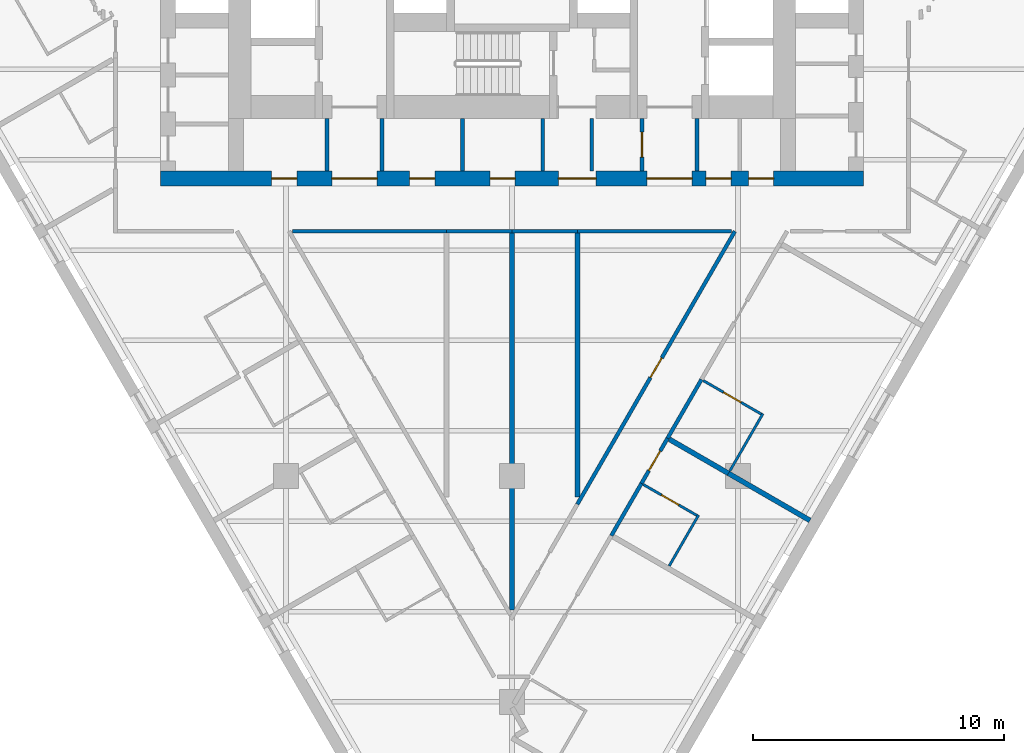
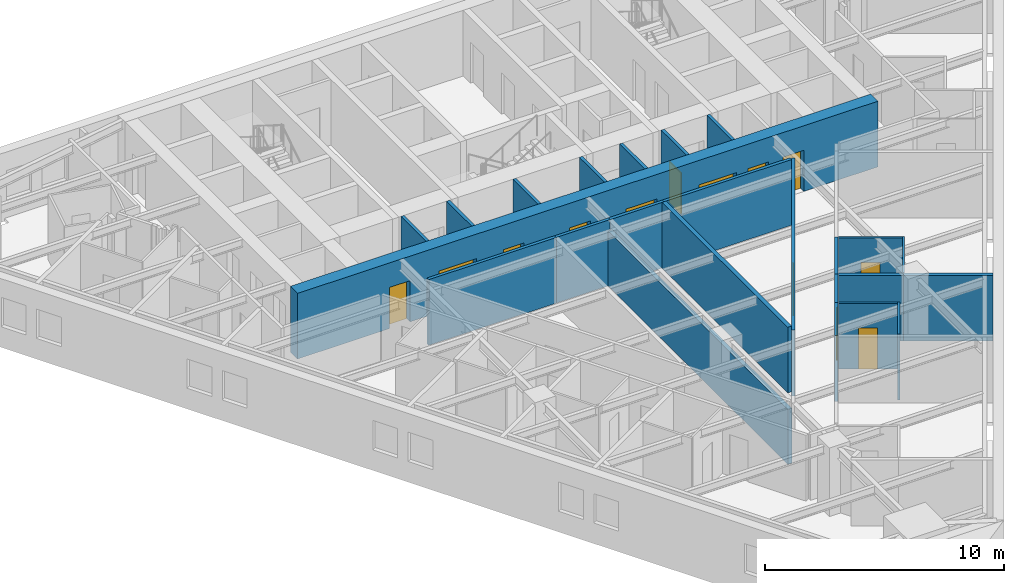
# One storey, part 4 of 10: 24 walls, 13 doors, 13 openings.
"""IFC4 building model written with IfcOpenShell, lengths in metres."""

from ifc_helpers import new_model, si_unit, direction, frame, frame_2d, origin, place, context, subcontext, project, spatial, rectangle, extrude, material, layer, layer_set, type_object, element, fill, save


model = new_model("IFC4")

# Units and contexts
model_context = context("Model", 3, precision=1e-05, world=origin(), true_north=direction((0.0, 1.0)))
body_context = subcontext(model_context, "Body", "Model", "MODEL_VIEW")
ifc_project = project(units=[si_unit("LENGTHUNIT", "METRE"), si_unit("AREAUNIT", "SQUARE_METRE"), si_unit("VOLUMEUNIT", "CUBIC_METRE"), si_unit("PLANEANGLEUNIT", "RADIAN"), si_unit("MASSUNIT", "GRAM", prefix="KILO")], contexts=[model_context])

# Site, building, storey
site_placement = place(None, origin())
site = spatial("IfcSite", under=ifc_project, at=site_placement, CompositionType="ELEMENT")
building_placement = place(site_placement, origin())
building = spatial("IfcBuilding", under=site, at=building_placement, Name="Aloe Facet Convention Tower", CompositionType="ELEMENT")
storey_placement = place(building_placement, frame((0.0, 0.0, 59.5)))
storey = spatial("IfcBuildingStorey", under=building, at=storey_placement, Name="L13", CompositionType="ELEMENT", Elevation=59.5)

# Walls
ifc_material_1 = material(Name="Concrete blockwork partition", Category="masonry")
ifc_layer_1 = layer(ifc_material_1, 0.14990234375)
ifc_layer_set_1 = layer_set([ifc_layer_1], Name="CR-W-PART150")
wall_type_1 = type_object("IfcWallType", Name="CR-W-PART150", PredefinedType="PARTITIONING", material=ifc_layer_set_1)
for number, where, z_axis, x_axis, name in (
    (1, (72.625, 122.25, 0.0), (0.0, 0.0, 1.0), (0.0, -1.0, 0.0), "Core partition L13-017"),
    (2, (74.824951171875, 122.25, 0.0), (0.0, 0.0, 1.0), (0.0, -1.0, 0.0), "Core partition L13-018"),
    (3, (78.02490234375, 122.25, 0.0), (0.0, 0.0, 1.0), (0.0, -1.0, 0.0), "Core partition L13-026"),
    (4, (81.22509765625, 122.25, 0.0), (0.0, 0.0, 1.0), (0.0, -1.0, 0.0), "Core partition L13-027"),
    (5, (83.175048828125, 122.25, 0.0), (0.0, 0.0, 1.0), (0.0, -1.0, 0.0), "Core partition L13-034"),
):
    element("IfcWall", number, at=place(storey_placement, frame(where, z_axis=z_axis, x_axis=x_axis)), inside=storey, type_object=wall_type_1, Name=name, PredefinedType="PARTITIONING", context=body_context, shape_type="SweptSolid", body=[
        extrude(rectangle(XDim=2.10009765625, YDim=0.14990234375, at=frame_2d((1.050048828125, 0.0))), origin(), (0.0, 0.0, 1.0), 3.35009765625),
    ])

# Wall, opening, door
wall_1_placement = place(storey_placement, frame((85.175048828125, 122.25, 0.0), z_axis=(0.0, 0.0, 1.0), x_axis=(0.0, -1.0, 0.0)))
wall_1 = element("IfcWall", 6, at=wall_1_placement, inside=storey, type_object=wall_type_1, Name="Core partition L13-040", PredefinedType="PARTITIONING", context=body_context, shape_type="SweptSolid", body=[
    extrude(rectangle(XDim=2.10009765625, YDim=0.14990234375, at=frame_2d((1.050048828125, 0.0))), origin(), (0.0, 0.0, 1.0), 3.35009765625),
])
opening_1_placement = place(wall_1_placement, frame((0.550048828125, 0.0, 0.0)))
opening_1 = element("IfcOpeningElement", 7, at=opening_1_placement, cuts=wall_1, Name="Opening L13-CD27", PredefinedType="OPENING", context=body_context, shape_type="SweptSolid", body=[
    extrude(rectangle(XDim=1.0, YDim=2.10009765625, at=frame_2d((0.5, 1.050048828125))), frame((0.0, 0.0849609375, 0.0), z_axis=(0.0, -1.0, 0.0), x_axis=(1.0, 0.0, 0.0)), (0.0, 0.0, 1.0), 0.169921875),
])
ifc_material_2 = material(Name="Steel fire-resisting door set FD60", Category="steel")
door_type_1 = type_object("IfcDoorType", Name="CR-D-ROOM-1000-FD60-SRIGHT", OperationType="SINGLE_SWING_RIGHT", PredefinedType="DOOR", material=ifc_material_2)
door_1_placement = place(opening_1_placement, origin())
door_1 = element("IfcDoor", 8, at=door_1_placement, inside=storey, type_object=door_type_1, Name="Core door L13-CD27", OperationType="SINGLE_SWING_RIGHT", OverallHeight=2.10009765625, OverallWidth=1.0, PredefinedType="DOOR", context=body_context, shape_type="SweptSolid", body=[
    extrude(rectangle(XDim=1.0, YDim=2.10009765625, at=frame_2d((0.5, 1.050048828125))), frame((0.0, 0.02490234375, 0.0), z_axis=(0.0, -1.0, 0.0), x_axis=(1.0, 0.0, 0.0)), (0.0, 0.0, 1.0), 0.050048828125),
])
fill(opening_1, door_1)

# Wall
wall_2_placement = place(storey_placement, frame((87.375, 122.25, 0.0), z_axis=(0.0, 0.0, 1.0), x_axis=(0.0, -1.0, 0.0)))
element("IfcWall", 9, at=wall_2_placement, inside=storey, type_object=wall_type_1, Name="Core partition L13-041", PredefinedType="PARTITIONING", context=body_context, shape_type="SweptSolid", body=[
    extrude(rectangle(XDim=2.10009765625, YDim=0.14990234375, at=frame_2d((1.050048828125, 0.0))), origin(), (0.0, 0.0, 1.0), 3.35009765625),
])

# Wall, openings, doors
ifc_material_3 = material(Name="Concrete C80/95", Category="concrete")
ifc_layer_2 = layer(ifc_material_3, 0.60009765625)
ifc_layer_set_2 = layer_set([ifc_layer_2], Name="CR-W-RC600-C8095")
wall_type_2 = type_object("IfcWallType", Name="CR-W-RC600-C8095", PredefinedType="SOLIDWALL", material=ifc_layer_set_2)
wall_3_placement = place(storey_placement, frame((66.0, 119.85009765625, 0.0), z_axis=(0.0, 0.0, 1.0), x_axis=(1.0, 0.0, 0.0)))
wall_3 = element("IfcWall", 10, at=wall_3_placement, inside=storey, type_object=wall_type_2, Name="Core wall L13-003", PredefinedType="SOLIDWALL", context=body_context, shape_type="SweptSolid", body=[
    extrude(rectangle(XDim=28.0, YDim=0.60009765625, at=frame_2d((14.0, 0.0))), origin(), (0.0, 0.0, 1.0), 3.35009765625),
])
opening_2_placement = place(wall_3_placement, frame((6.824951171875, 0.0, 0.0)))
opening_2 = element("IfcOpeningElement", 11, at=opening_2_placement, cuts=wall_3, Name="Opening L13-CD17", PredefinedType="OPENING", context=body_context, shape_type="SweptSolid", body=[
    extrude(rectangle(XDim=1.800048828125, YDim=2.10009765625, at=frame_2d((0.89990234375, 1.050048828125))), frame((0.0, 0.31005859375, 0.0), z_axis=(0.0, -1.0, 0.0), x_axis=(1.0, 0.0, 0.0)), (0.0, 0.0, 1.0), 0.6201171875),
])
opening_3_placement = place(wall_3_placement, frame((15.85009765625, 0.0, 0.0)))
opening_3 = element("IfcOpeningElement", 12, at=opening_3_placement, cuts=wall_3, Name="Opening L13-CD18", PredefinedType="OPENING", context=body_context, shape_type="SweptSolid", body=[
    extrude(rectangle(XDim=1.5, YDim=2.10009765625, at=frame_2d((0.75, 1.050048828125))), frame((0.0, 0.31005859375, 0.0), z_axis=(0.0, -1.0, 0.0), x_axis=(1.0, 0.0, 0.0)), (0.0, 0.0, 1.0), 0.6201171875),
])
opening_4_placement = place(wall_3_placement, frame((19.375, 0.0, 0.0)))
opening_4 = element("IfcOpeningElement", 13, at=opening_4_placement, cuts=wall_3, Name="Opening L13-CD19", PredefinedType="OPENING", context=body_context, shape_type="SweptSolid", body=[
    extrude(rectangle(XDim=1.800048828125, YDim=2.10009765625, at=frame_2d((0.89990234375, 1.050048828125))), frame((0.0, 0.31005859375, 0.0), z_axis=(0.0, -1.0, 0.0), x_axis=(1.0, 0.0, 0.0)), (0.0, 0.0, 1.0), 0.6201171875),
])
opening_5_placement = place(wall_3_placement, frame((4.425048828125, 0.0, 0.0)))
opening_5 = element("IfcOpeningElement", 14, at=opening_5_placement, cuts=wall_3, Name="Opening L13-CD24", PredefinedType="OPENING", context=body_context, shape_type="SweptSolid", body=[
    extrude(rectangle(XDim=1.0, YDim=2.10009765625, at=frame_2d((0.5, 1.050048828125))), frame((0.0, 0.31005859375, 0.0), z_axis=(0.0, -1.0, 0.0), x_axis=(1.0, 0.0, 0.0)), (0.0, 0.0, 1.0), 0.6201171875),
])
opening_6_placement = place(wall_3_placement, frame((9.925048828125, 0.0, 0.0)))
opening_6 = element("IfcOpeningElement", 15, at=opening_6_placement, cuts=wall_3, Name="Opening L13-CD25", PredefinedType="OPENING", context=body_context, shape_type="SweptSolid", body=[
    extrude(rectangle(XDim=1.0, YDim=2.10009765625, at=frame_2d((0.5, 1.050048828125))), frame((0.0, 0.31005859375, 0.0), z_axis=(0.0, -1.0, 0.0), x_axis=(1.0, 0.0, 0.0)), (0.0, 0.0, 1.0), 0.6201171875),
])
opening_7_placement = place(wall_3_placement, frame((13.125, 0.0, 0.0)))
opening_7 = element("IfcOpeningElement", 16, at=opening_7_placement, cuts=wall_3, Name="Opening L13-CD26", PredefinedType="OPENING", context=body_context, shape_type="SweptSolid", body=[
    extrude(rectangle(XDim=1.0, YDim=2.10009765625, at=frame_2d((0.5, 1.050048828125))), frame((0.0, 0.31005859375, 0.0), z_axis=(0.0, -1.0, 0.0), x_axis=(1.0, 0.0, 0.0)), (0.0, 0.0, 1.0), 0.6201171875),
])
opening_8_placement = place(wall_3_placement, frame((21.72509765625, 0.0, 0.0)))
opening_8 = element("IfcOpeningElement", 17, at=opening_8_placement, cuts=wall_3, Name="Opening L13-CD28", PredefinedType="OPENING", context=body_context, shape_type="SweptSolid", body=[
    extrude(rectangle(XDim=1.0, YDim=2.10009765625, at=frame_2d((0.5, 1.050048828125))), frame((0.0, 0.31005859375, 0.0), z_axis=(0.0, -1.0, 0.0), x_axis=(1.0, 0.0, 0.0)), (0.0, 0.0, 1.0), 0.6201171875),
])
opening_9_placement = place(wall_3_placement, frame((23.425048828125, 0.0, 0.0)))
opening_9 = element("IfcOpeningElement", 18, at=opening_9_placement, cuts=wall_3, Name="Opening L13-CD29", PredefinedType="OPENING", context=body_context, shape_type="SweptSolid", body=[
    extrude(rectangle(XDim=1.0, YDim=2.10009765625, at=frame_2d((0.5, 1.050048828125))), frame((0.0, 0.31005859375, 0.0), z_axis=(0.0, -1.0, 0.0), x_axis=(1.0, 0.0, 0.0)), (0.0, 0.0, 1.0), 0.6201171875),
])
ifc_material_4 = material(Name="Steel fire-resisting door set FD60", Category="steel")
door_type_2 = type_object("IfcDoorType", Name="CR-D-EXIT-1500-FD60-DD", OperationType="DOUBLE_DOOR_DOUBLE_SWING", PredefinedType="DOOR", material=ifc_material_4)
door_2_placement = place(opening_3_placement, origin())
door_2 = element("IfcDoor", 19, at=door_2_placement, inside=storey, type_object=door_type_2, Name="Core door L13-CD18", OperationType="DOUBLE_DOOR_DOUBLE_SWING", OverallHeight=2.10009765625, OverallWidth=1.5, PredefinedType="DOOR", context=body_context, shape_type="SweptSolid", body=[
    extrude(rectangle(XDim=1.5, YDim=2.10009765625, at=frame_2d((0.75, 1.050048828125))), frame((0.0, 0.02490234375, 0.0), z_axis=(0.0, -1.0, 0.0), x_axis=(1.0, 0.0, 0.0)), (0.0, 0.0, 1.0), 0.050048828125),
])
fill(opening_3, door_2)
ifc_material_5 = material(Name="Steel fire-resisting door set FD60", Category="steel")
door_type_3 = type_object("IfcDoorType", Name="CR-D-EXIT-1800-FD60-DD", OperationType="DOUBLE_DOOR_DOUBLE_SWING", PredefinedType="DOOR", material=ifc_material_5)
door_3_placement = place(opening_2_placement, origin())
door_3 = element("IfcDoor", 20, at=door_3_placement, inside=storey, type_object=door_type_3, Name="Core door L13-CD17", OperationType="DOUBLE_DOOR_DOUBLE_SWING", OverallHeight=2.10009765625, OverallWidth=1.800048828125, PredefinedType="DOOR", context=body_context, shape_type="SweptSolid", body=[
    extrude(rectangle(XDim=1.800048828125, YDim=2.10009765625, at=frame_2d((0.89990234375, 1.050048828125))), frame((0.0, 0.02490234375, 0.0), z_axis=(0.0, -1.0, 0.0), x_axis=(1.0, 0.0, 0.0)), (0.0, 0.0, 1.0), 0.050048828125),
])
fill(opening_2, door_3)
door_4_placement = place(opening_4_placement, origin())
door_4 = element("IfcDoor", 21, at=door_4_placement, inside=storey, type_object=door_type_3, Name="Core door L13-CD19", OperationType="DOUBLE_DOOR_DOUBLE_SWING", OverallHeight=2.10009765625, OverallWidth=1.800048828125, PredefinedType="DOOR", context=body_context, shape_type="SweptSolid", body=[
    extrude(rectangle(XDim=1.800048828125, YDim=2.10009765625, at=frame_2d((0.89990234375, 1.050048828125))), frame((0.0, 0.02490234375, 0.0), z_axis=(0.0, -1.0, 0.0), x_axis=(1.0, 0.0, 0.0)), (0.0, 0.0, 1.0), 0.050048828125),
])
fill(opening_4, door_4)
door_5_placement = place(opening_5_placement, origin())
door_5 = element("IfcDoor", 22, at=door_5_placement, inside=storey, type_object=door_type_1, Name="Core door L13-CD24", OperationType="SINGLE_SWING_RIGHT", OverallHeight=2.10009765625, OverallWidth=1.0, PredefinedType="DOOR", context=body_context, shape_type="SweptSolid", body=[
    extrude(rectangle(XDim=1.0, YDim=2.10009765625, at=frame_2d((0.5, 1.050048828125))), frame((0.0, 0.02490234375, 0.0), z_axis=(0.0, -1.0, 0.0), x_axis=(1.0, 0.0, 0.0)), (0.0, 0.0, 1.0), 0.050048828125),
])
fill(opening_5, door_5)
door_6_placement = place(opening_6_placement, origin())
door_6 = element("IfcDoor", 23, at=door_6_placement, inside=storey, type_object=door_type_1, Name="Core door L13-CD25", OperationType="SINGLE_SWING_RIGHT", OverallHeight=2.10009765625, OverallWidth=1.0, PredefinedType="DOOR", context=body_context, shape_type="SweptSolid", body=[
    extrude(rectangle(XDim=1.0, YDim=2.10009765625, at=frame_2d((0.5, 1.050048828125))), frame((0.0, 0.02490234375, 0.0), z_axis=(0.0, -1.0, 0.0), x_axis=(1.0, 0.0, 0.0)), (0.0, 0.0, 1.0), 0.050048828125),
])
fill(opening_6, door_6)
door_7_placement = place(opening_7_placement, origin())
door_7 = element("IfcDoor", 24, at=door_7_placement, inside=storey, type_object=door_type_1, Name="Core door L13-CD26", OperationType="SINGLE_SWING_RIGHT", OverallHeight=2.10009765625, OverallWidth=1.0, PredefinedType="DOOR", context=body_context, shape_type="SweptSolid", body=[
    extrude(rectangle(XDim=1.0, YDim=2.10009765625, at=frame_2d((0.5, 1.050048828125))), frame((0.0, 0.02490234375, 0.0), z_axis=(0.0, -1.0, 0.0), x_axis=(1.0, 0.0, 0.0)), (0.0, 0.0, 1.0), 0.050048828125),
])
fill(opening_7, door_7)
door_8_placement = place(opening_8_placement, origin())
door_8 = element("IfcDoor", 25, at=door_8_placement, inside=storey, type_object=door_type_1, Name="Core door L13-CD28", OperationType="SINGLE_SWING_RIGHT", OverallHeight=2.10009765625, OverallWidth=1.0, PredefinedType="DOOR", context=body_context, shape_type="SweptSolid", body=[
    extrude(rectangle(XDim=1.0, YDim=2.10009765625, at=frame_2d((0.5, 1.050048828125))), frame((0.0, 0.02490234375, 0.0), z_axis=(0.0, -1.0, 0.0), x_axis=(1.0, 0.0, 0.0)), (0.0, 0.0, 1.0), 0.050048828125),
])
fill(opening_8, door_8)
door_9_placement = place(opening_9_placement, origin())
door_9 = element("IfcDoor", 26, at=door_9_placement, inside=storey, type_object=door_type_1, Name="Core door L13-CD29", OperationType="SINGLE_SWING_RIGHT", OverallHeight=2.10009765625, OverallWidth=1.0, PredefinedType="DOOR", context=body_context, shape_type="SweptSolid", body=[
    extrude(rectangle(XDim=1.0, YDim=2.10009765625, at=frame_2d((0.5, 1.050048828125))), frame((0.0, 0.02490234375, 0.0), z_axis=(0.0, -1.0, 0.0), x_axis=(1.0, 0.0, 0.0)), (0.0, 0.0, 1.0), 0.050048828125),
])
fill(opening_9, door_9)

# Wall
ifc_material_6 = material(Name="Gypsum board partition on steel studs", Category="steel")
ifc_layer_3 = layer(ifc_material_6, 0.14990234375)
ifc_layer_set_3 = layer_set([ifc_layer_3], Name="IN-W-CORR")
wall_type_3 = type_object("IfcWallType", Name="IN-W-CORR", PredefinedType="PARTITIONING", material=ifc_layer_set_3)
wall_4_placement = place(storey_placement, frame((83.957763671875, 105.625732421875, 0.0), z_axis=(0.0, 0.0, 1.0), x_axis=(0.500001309137, 0.866024647952, 0.0)))
element("IfcWall", 27, at=wall_4_placement, inside=storey, type_object=wall_type_3, Name="Partition L13-W025", PredefinedType="PARTITIONING", context=body_context, shape_type="SweptSolid", body=[
    extrude(rectangle(XDim=2.39990234375, YDim=0.14990234375, at=frame_2d((1.199951171875, 0.0))), origin(), (0.0, 0.0, 1.0), 3.35009765625),
])

# Wall, opening, door
wall_5_placement = place(storey_placement, frame((82.60107421875, 106.87548828125, 0.0), z_axis=(0.0, 0.0, 1.0), x_axis=(0.499995104884, 0.866028229963, 0.0)))
wall_5 = element("IfcWall", 28, at=wall_5_placement, inside=storey, type_object=wall_type_3, Name="Partition L13-W033", PredefinedType="PARTITIONING", context=body_context, shape_type="SweptSolid", body=[
    extrude(rectangle(XDim=12.556884765625, YDim=0.14990234375, at=frame_2d((6.2783203125, 0.0))), origin(), (0.0, 0.0, 1.0), 3.35009765625),
])
opening_10_placement = place(wall_5_placement, frame((5.828369140625, 0.0, 0.0)))
opening_10 = element("IfcOpeningElement", 29, at=opening_10_placement, cuts=wall_5, Name="Opening L13-017", PredefinedType="OPENING", context=body_context, shape_type="SweptSolid", body=[
    extrude(rectangle(XDim=0.89990234375, YDim=2.10009765625, at=frame_2d((0.449951171875, 1.050048828125))), frame((0.0, 0.0849609375, 0.0), z_axis=(0.0, -1.0, 0.0), x_axis=(1.0, 0.0, 0.0)), (0.0, 0.0, 1.0), 0.169921875),
])
ifc_material_7 = material(Name="Hardwood flush door FD30S", Category="wood")
door_type_4 = type_object("IfcDoorType", Name="IN-D-GUEST", OperationType="SINGLE_SWING_LEFT", PredefinedType="DOOR", material=ifc_material_7)
door_10_placement = place(opening_10_placement, origin())
door_10 = element("IfcDoor", 30, at=door_10_placement, inside=storey, type_object=door_type_4, Name="Door L13-017", OperationType="SINGLE_SWING_LEFT", OverallHeight=2.10009765625, OverallWidth=0.89990234375, PredefinedType="DOOR", context=body_context, shape_type="SweptSolid", body=[
    extrude(rectangle(XDim=0.89990234375, YDim=2.10009765625, at=frame_2d((0.449951171875, 1.050048828125))), frame((0.0, 0.02490234375, 0.0), z_axis=(0.0, -1.0, 0.0), x_axis=(1.0, 0.0, 0.0)), (0.0, 0.0, 1.0), 0.050048828125),
])
fill(opening_10, door_10)

wall_6_placement = place(storey_placement, frame((85.15771484375, 107.7041015625, 0.0), z_axis=(0.0, 0.0, 1.0), x_axis=(0.500027264788, 0.866009661879, 0.0)))
wall_6 = element("IfcWall", 31, at=wall_6_placement, inside=storey, type_object=wall_type_3, Name="Partition L13-W042", PredefinedType="PARTITIONING", context=body_context, shape_type="SweptSolid", body=[
    extrude(rectangle(XDim=2.080078125, YDim=0.14990234375, at=frame_2d((1.0400390625, 0.0))), origin(), (0.0, 0.0, 1.0), 3.35009765625),
])
opening_11_placement = place(wall_6_placement, frame((0.590087890625, 0.0, 0.0)))
opening_11 = element("IfcOpeningElement", 32, at=opening_11_placement, cuts=wall_6, Name="Opening L13-010", PredefinedType="OPENING", context=body_context, shape_type="SweptSolid", body=[
    extrude(rectangle(XDim=0.89990234375, YDim=2.10009765625, at=frame_2d((0.449951171875, 1.050048828125))), frame((0.0, 0.0849609375, 0.0), z_axis=(0.0, -1.0, 0.0), x_axis=(1.0, 0.0, 0.0)), (0.0, 0.0, 1.0), 0.169921875),
])
door_11_placement = place(opening_11_placement, origin())
door_11 = element("IfcDoor", 33, at=door_11_placement, inside=storey, type_object=door_type_4, Name="Door L13-010", OperationType="SINGLE_SWING_LEFT", OverallHeight=2.10009765625, OverallWidth=0.89990234375, PredefinedType="DOOR", context=body_context, shape_type="SweptSolid", body=[
    extrude(rectangle(XDim=0.89990234375, YDim=2.10009765625, at=frame_2d((0.449951171875, 1.050048828125))), frame((0.0, 0.02490234375, 0.0), z_axis=(0.0, -1.0, 0.0), x_axis=(1.0, 0.0, 0.0)), (0.0, 0.0, 1.0), 0.050048828125),
])
fill(opening_11, door_11)

# Walls
wall_7_placement = place(storey_placement, frame((86.19775390625, 109.50537109375, 0.0), z_axis=(0.0, 0.0, 1.0), x_axis=(0.50000943426, 0.866019956843, 0.0)))
element("IfcWall", 34, at=wall_7_placement, inside=storey, type_object=wall_type_3, Name="Partition L13-W043", PredefinedType="PARTITIONING", context=body_context, shape_type="SweptSolid", body=[
    extrude(rectangle(XDim=2.7001953125, YDim=0.14990234375, at=frame_2d((1.35009765625, 0.0))), origin(), (0.0, 0.0, 1.0), 3.35009765625),
])
wall_8_placement = place(storey_placement, frame((71.25048828125, 117.75, 0.0), z_axis=(0.0, 0.0, 1.0), x_axis=(1.0, 0.0, 0.0)))
element("IfcWall", 35, at=wall_8_placement, inside=storey, type_object=wall_type_3, Name="Partition L13-W063", PredefinedType="PARTITIONING", context=body_context, shape_type="SweptSolid", body=[
    extrude(rectangle(XDim=6.1484375, YDim=0.14990234375, at=frame_2d((3.07421875, 0.0))), origin(), (0.0, 0.0, 1.0), 3.35009765625),
])
for number, where, z_axis, x_axis, name in (
    (36, (77.39892578125, 117.75, 0.0), (0.0, 0.0, 1.0), (1.0, 0.0, 0.0), "Partition L13-W064"),
    (37, (80.0, 117.75, 0.0), (0.0, 0.0, 1.0), (1.0, 0.0, 0.0), "Partition L13-W065"),
):
    element("IfcWall", number, at=place(storey_placement, frame(where, z_axis=z_axis, x_axis=x_axis)), inside=storey, type_object=wall_type_3, Name=name, PredefinedType="PARTITIONING", context=body_context, shape_type="SweptSolid", body=[
        extrude(rectangle(XDim=2.60107421875, YDim=0.14990234375, at=frame_2d((1.300537109375, 0.0))), origin(), (0.0, 0.0, 1.0), 3.35009765625),
    ])
wall_9_placement = place(storey_placement, frame((82.60107421875, 117.75, 0.0), z_axis=(0.0, 0.0, 1.0), x_axis=(1.0, 0.0, 0.0)))
element("IfcWall", 38, at=wall_9_placement, inside=storey, type_object=wall_type_3, Name="Partition L13-W066", PredefinedType="PARTITIONING", context=body_context, shape_type="SweptSolid", body=[
    extrude(rectangle(XDim=6.1484375, YDim=0.14990234375, at=frame_2d((3.07421875, 0.0))), origin(), (0.0, 0.0, 1.0), 3.35009765625),
])
ifc_material_8 = material(Name="Gypsum board partition on steel studs", Category="steel")
ifc_layer_4 = layer(ifc_material_8, 0.10009765625)
ifc_layer_set_4 = layer_set([ifc_layer_4], Name="IN-W-PART")
wall_type_4 = type_object("IfcWallType", Name="IN-W-PART", PredefinedType="PARTITIONING", material=ifc_layer_set_4)
wall_10_placement = place(storey_placement, frame((86.264404296875, 104.4208984375, 0.0), z_axis=(0.0, 0.0, 1.0), x_axis=(0.500032503492, 0.866006637072, 0.0)))
element("IfcWall", 39, at=wall_10_placement, inside=storey, type_object=wall_type_4, Name="Partition L13-W029", PredefinedType="PARTITIONING", context=body_context, shape_type="SweptSolid", body=[
    extrude(rectangle(XDim=2.340087890625, YDim=0.10009765625, at=frame_2d((1.169921875, 0.0))), origin(), (0.0, 0.0, 1.0), 3.35009765625),
])

# Wall, opening, door
wall_11_placement = place(storey_placement, frame((85.2314453125, 107.66162109375, 0.0), z_axis=(0.0, 0.0, 1.0), x_axis=(0.866040446274, -0.499973944738, 0.0)))
wall_11 = element("IfcWall", 40, at=wall_11_placement, inside=storey, type_object=wall_type_4, Name="Partition L13-W035", PredefinedType="PARTITIONING", context=body_context, shape_type="SweptSolid", body=[
    extrude(rectangle(XDim=2.465087890625, YDim=0.10009765625, at=frame_2d((1.232421875, 0.0))), origin(), (0.0, 0.0, 1.0), 3.35009765625),
])
opening_12_placement = place(wall_11_placement, frame((0.83251953125, 0.0, 0.0)))
opening_12 = element("IfcOpeningElement", 41, at=opening_12_placement, cuts=wall_11, Name="Opening L13-027", PredefinedType="OPENING", context=body_context, shape_type="SweptSolid", body=[
    extrude(rectangle(XDim=0.800048828125, YDim=2.10009765625, at=frame_2d((0.39990234375, 1.050048828125))), frame((0.0, 0.06005859375, 0.0), z_axis=(0.0, -1.0, 0.0), x_axis=(1.0, 0.0, 0.0)), (0.0, 0.0, 1.0), 0.1201171875),
])
ifc_material_9 = material(Name="Timber flush door", Category="wood")
door_type_5 = type_object("IfcDoorType", Name="IN-D-BATH", OperationType="SINGLE_SWING_LEFT", PredefinedType="DOOR", material=ifc_material_9)
door_12_placement = place(opening_12_placement, origin())
door_12 = element("IfcDoor", 42, at=door_12_placement, inside=storey, type_object=door_type_5, Name="Door L13-027", OperationType="SINGLE_SWING_LEFT", OverallHeight=2.10009765625, OverallWidth=0.800048828125, PredefinedType="DOOR", context=body_context, shape_type="SweptSolid", body=[
    extrude(rectangle(XDim=0.800048828125, YDim=2.10009765625, at=frame_2d((0.39990234375, 1.050048828125))), frame((0.0, 0.02490234375, 0.0), z_axis=(0.0, -1.0, 0.0), x_axis=(1.0, 0.0, 0.0)), (0.0, 0.0, 1.0), 0.050048828125),
])
fill(opening_12, door_12)

# Wall
wall_12_placement = place(storey_placement, frame((88.677734375, 108.20068359375, 0.0), z_axis=(0.0, 0.0, 1.0), x_axis=(0.500007957085, 0.86602080971, 0.0)))
element("IfcWall", 43, at=wall_12_placement, inside=storey, type_object=wall_type_4, Name="Partition L13-W046", PredefinedType="PARTITIONING", context=body_context, shape_type="SweptSolid", body=[
    extrude(rectangle(XDim=2.64013671875, YDim=0.10009765625, at=frame_2d((1.320068359375, 0.0))), origin(), (0.0, 0.0, 1.0), 3.35009765625),
])

# Wall, opening, door
wall_13_placement = place(storey_placement, frame((87.621337890625, 111.80126953125, 0.0), z_axis=(0.0, 0.0, 1.0), x_axis=(0.866036091453, -0.499981487958, 0.0)))
wall_13 = element("IfcWall", 44, at=wall_13_placement, inside=storey, type_object=wall_type_4, Name="Partition L13-W048", PredefinedType="PARTITIONING", context=body_context, shape_type="SweptSolid", body=[
    extrude(rectangle(XDim=2.6650390625, YDim=0.10009765625, at=frame_2d((1.33251953125, 0.0))), origin(), (0.0, 0.0, 1.0), 3.35009765625),
])
opening_13_placement = place(wall_13_placement, frame((0.9326171875, 0.0, 0.0)))
opening_13 = element("IfcOpeningElement", 45, at=opening_13_placement, cuts=wall_13, Name="Opening L13-028", PredefinedType="OPENING", context=body_context, shape_type="SweptSolid", body=[
    extrude(rectangle(XDim=0.800048828125, YDim=2.10009765625, at=frame_2d((0.39990234375, 1.050048828125))), frame((0.0, 0.06005859375, 0.0), z_axis=(0.0, -1.0, 0.0), x_axis=(1.0, 0.0, 0.0)), (0.0, 0.0, 1.0), 0.1201171875),
])
door_13_placement = place(opening_13_placement, origin())
door_13 = element("IfcDoor", 46, at=door_13_placement, inside=storey, type_object=door_type_5, Name="Door L13-028", OperationType="SINGLE_SWING_LEFT", OverallHeight=2.10009765625, OverallWidth=0.800048828125, PredefinedType="DOOR", context=body_context, shape_type="SweptSolid", body=[
    extrude(rectangle(XDim=0.800048828125, YDim=2.10009765625, at=frame_2d((0.39990234375, 1.050048828125))), frame((0.0, 0.02490234375, 0.0), z_axis=(0.0, -1.0, 0.0), x_axis=(1.0, 0.0, 0.0)), (0.0, 0.0, 1.0), 0.050048828125),
])
fill(opening_13, door_13)

# Walls
ifc_material_10 = material(Name="Gypsum board partition on steel studs", Category="steel")
ifc_layer_5 = layer(ifc_material_10, 0.199951171875)
ifc_layer_set_5 = layer_set([ifc_layer_5], Name="IN-W-PARTY")
wall_type_5 = type_object("IfcWallType", Name="IN-W-PARTY", PredefinedType="PARTITIONING", material=ifc_layer_set_5)
wall_14_placement = place(storey_placement, frame((80.0, 102.66552734375, 0.0), z_axis=(0.0, 0.0, 1.0), x_axis=(0.0, 1.0, 0.0)))
element("IfcWall", 47, at=wall_14_placement, inside=storey, type_object=wall_type_5, Name="Partition L13-W015", PredefinedType="PARTITIONING", context=body_context, shape_type="SweptSolid", body=[
    extrude(rectangle(XDim=15.009521484375, YDim=0.199951171875, at=frame_2d((7.5048828125, 0.0))), origin(), (0.0, 0.0, 1.0), 2.800537109375),
])
wall_15_placement = place(storey_placement, frame((88.622802734375, 108.10546875, 0.0), z_axis=(0.0, 0.0, 1.0), x_axis=(0.866022959057, -0.500004234368, 0.0)))
element("IfcWall", 48, at=wall_15_placement, inside=storey, type_object=wall_type_5, Name="Partition L13-W028", PredefinedType="PARTITIONING", context=body_context, shape_type="SweptSolid", body=[
    extrude(rectangle(XDim=3.75, YDim=0.199951171875, at=frame_2d((1.875, 0.0))), origin(), (0.0, 0.0, 1.0), 3.35009765625),
])
wall_16_placement = place(storey_placement, frame((82.60107421875, 107.170654296875, 0.0), z_axis=(0.0, 0.0, 1.0), x_axis=(0.0, 1.0, 0.0)))
element("IfcWall", 49, at=wall_16_placement, inside=storey, type_object=wall_type_5, Name="Partition L13-W032", PredefinedType="PARTITIONING", context=body_context, shape_type="SweptSolid", body=[
    extrude(rectangle(XDim=10.50439453125, YDim=0.199951171875, at=frame_2d((5.252197265625, 0.0))), origin(), (0.0, 0.0, 1.0), 3.35009765625),
])
wall_17_placement = place(storey_placement, frame((86.271484375, 109.462890625, 0.0), z_axis=(0.0, 0.0, 1.0), x_axis=(0.866043331744, -0.499968946578, 0.0)))
element("IfcWall", 50, at=wall_17_placement, inside=storey, type_object=wall_type_5, Name="Partition L13-W036", PredefinedType="PARTITIONING", context=body_context, shape_type="SweptSolid", body=[
    extrude(rectangle(XDim=2.715087890625, YDim=0.199951171875, at=frame_2d((1.357421875, 0.0))), origin(), (0.0, 0.0, 1.0), 3.35009765625),
])

save(model, "model.ifc")
